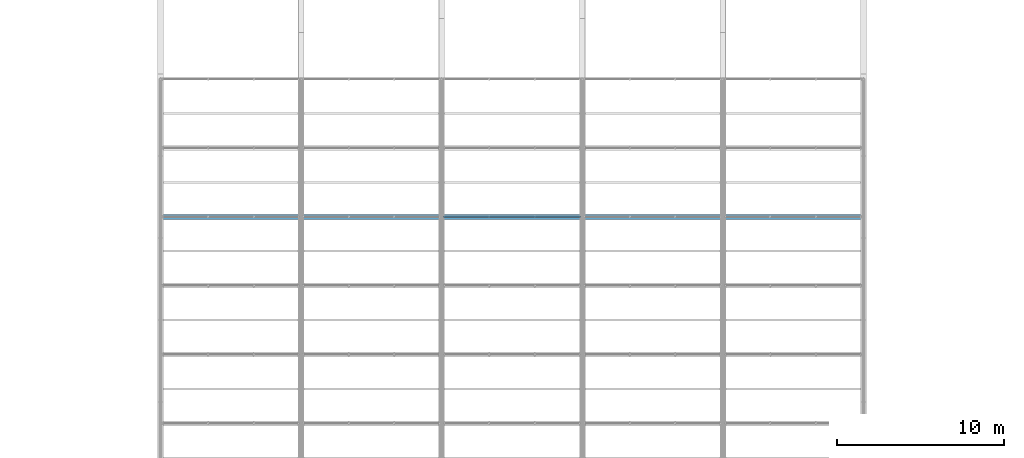
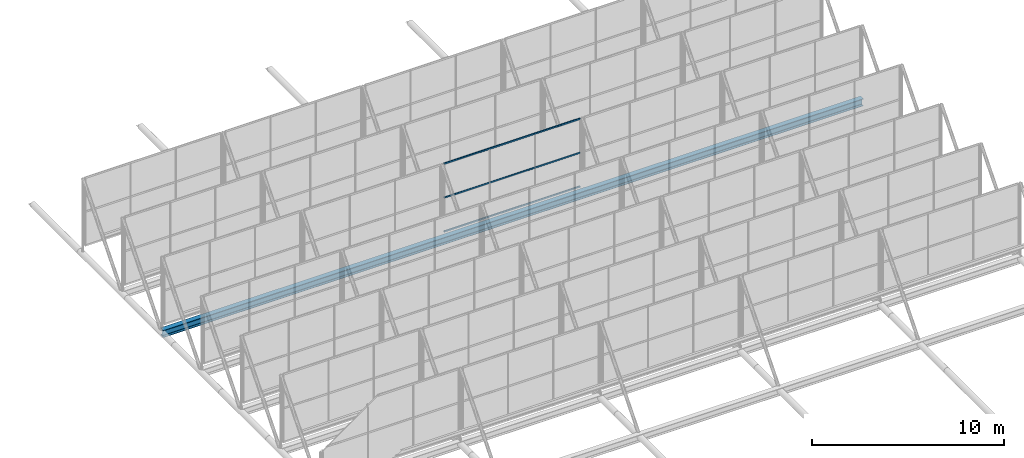
# One storey, part 30 of 77: 3 members, 1 beam, 1 element without a shape of its own.
"""IFC4 building model written with IfcOpenShell, lengths in metres."""

from ifc_helpers import new_model, si_unit, derived_unit, direction, frame, origin, origin_2d, place, context, subcontext, project, spatial, hollow_rectangle, i_section, extrude, material, material_profile, profile_set, type_object, element, aggregate, save


model = new_model("IFC4")

# Units and contexts
model_context = context("Model", 3, precision=1e-05, world=origin(), true_north=direction((0.0, 1.0)))
body_context = subcontext(model_context, "Body", "Model", "MODEL_VIEW")
ifc_project = project(units=[si_unit("LENGTHUNIT", "METRE"), si_unit("AREAUNIT", "SQUARE_METRE"), si_unit("VOLUMEUNIT", "CUBIC_METRE"), si_unit("PLANEANGLEUNIT", "RADIAN"), si_unit("MASSUNIT", "GRAM", prefix="KILO"), derived_unit("THERMALTRANSMITTANCEUNIT", [(si_unit("MASSUNIT", "GRAM", prefix="KILO"), 1), (si_unit("TIMEUNIT", "SECOND"), -3), (si_unit("THERMODYNAMICTEMPERATUREUNIT", "KELVIN"), -1)])], contexts=[model_context])

# Site, building, storey
site_placement = place(None, origin())
site = spatial("IfcSite", under=ifc_project, at=site_placement, CompositionType="ELEMENT")
building_placement = place(site_placement, origin())
building = spatial("IfcBuilding", under=site, at=building_placement, Name="Kharveza Railside Sports Centre", CompositionType="ELEMENT")
storey_placement = place(building_placement, frame((0.0, 0.0, 17.10009765625)))
storey = spatial("IfcBuildingStorey", under=building, at=storey_placement, Name="L04", CompositionType="ELEMENT", Elevation=17.10009765625)

# Beam
ifc_material_1 = material(Name="Steel S355J2", Category="steel")
ifc_material_profile_1 = material_profile(ifc_material_1, i_section(OverallWidth=0.300048828125, OverallDepth=0.449951171875, WebThickness=0.013916015625, FlangeThickness=0.02587890625, FilletRadius=0.027099609375, at=origin_2d()), Name="HEB 450")
ifc_profile_set_1 = profile_set([ifc_material_profile_1], Name="Steel S355J2")
beam_type = type_object("IfcBeamType", Name="BM-G06", PredefinedType="T_BEAM", material=ifc_profile_set_1)
beam_placement = place(storey_placement, frame((33.60009765625, 56.5712890625, -1.050048828125), z_axis=(1.0, 0.0, 0.0), x_axis=(0.0, 1.0, 0.0)))
element("IfcBeam", 1, at=beam_placement, inside=storey, type_object=beam_type, Name="BM-V1SAW-VAL-6", PredefinedType="T_BEAM", context=body_context, shape_type="SweptSolid", body=[
    extrude(i_section(OverallWidth=0.300048828125, OverallDepth=0.449951171875, WebThickness=0.013916015625, FlangeThickness=0.02587890625, FilletRadius=0.027099609375, at=origin_2d()), origin(), (0.0, 0.0, 1.0), 42.0),
])

# Curtain wall, members
ifc_material_2 = material(Name="Low-E solar-control laminated glass", Category="glass")
curtain_wall_type = type_object("IfcCurtainWallType", Name="CW-NL01", PredefinedType="NOTDEFINED", material=ifc_material_2)
curtain_wall_placement = place(storey_placement, origin())
curtain_wall = element("IfcCurtainWall", 2, at=curtain_wall_placement, inside=storey, type_object=curtain_wall_type, Name="CW-V1NL-5-3", PredefinedType="NOTDEFINED")
ifc_material_3 = material(Name="Anodised aluminium 6063-T6", Category="aluminium")
ifc_material_profile_2 = material_profile(ifc_material_3, hollow_rectangle(XDim=0.06005859375, YDim=0.10009765625, WallThickness=0.00390625, InnerFilletRadius=0.00390625, OuterFilletRadius=0.008056640625, at=origin_2d()), Name="RHS 60x100x4.0")
ifc_profile_set_2 = profile_set([ifc_material_profile_2], Name="Anodised aluminium 6063-T6")
member_type = type_object("IfcMemberType", Name="CW-TR05", PredefinedType="USERDEFINED", material=ifc_profile_set_2)
member_1_placement = place(storey_placement, frame((50.52001953125, 56.5712890625, -0.550048828125), z_axis=(1.0, 0.0, 0.0), x_axis=(0.0, 1.0, 0.0)))
member_1 = element("IfcMember", 3, at=member_1_placement, type_object=member_type, Name="CW-V1NL-5-3-TR1", ObjectType="TRANSOM", PredefinedType="USERDEFINED", context=body_context, shape_type="SweptSolid", body=[
    extrude(hollow_rectangle(XDim=0.06005859375, YDim=0.10009765625, WallThickness=0.00390625, InnerFilletRadius=0.00390625, OuterFilletRadius=0.008056640625, at=origin_2d()), origin(), (0.0, 0.0, 1.0), 8.159912109375),
])
member_2_placement = place(storey_placement, frame((50.52001953125, 56.5712890625, 1.599853515625), z_axis=(1.0, 0.0, 0.0), x_axis=(0.0, 1.0, 0.0)))
member_2 = element("IfcMember", 4, at=member_2_placement, type_object=member_type, Name="CW-V1NL-5-3-TR2", ObjectType="TRANSOM", PredefinedType="USERDEFINED", context=body_context, shape_type="SweptSolid", body=[
    extrude(hollow_rectangle(XDim=0.06005859375, YDim=0.10009765625, WallThickness=0.00390625, InnerFilletRadius=0.00390625, OuterFilletRadius=0.008056640625, at=origin_2d()), origin(), (0.0, 0.0, 1.0), 8.159912109375),
])
member_3_placement = place(storey_placement, frame((50.52001953125, 56.5712890625, 3.75), z_axis=(1.0, 0.0, 0.0), x_axis=(0.0, 1.0, 0.0)))
member_3 = element("IfcMember", 5, at=member_3_placement, type_object=member_type, Name="CW-V1NL-5-3-TR3", ObjectType="TRANSOM", PredefinedType="USERDEFINED", context=body_context, shape_type="SweptSolid", body=[
    extrude(hollow_rectangle(XDim=0.06005859375, YDim=0.10009765625, WallThickness=0.00390625, InnerFilletRadius=0.00390625, OuterFilletRadius=0.008056640625, at=origin_2d()), origin(), (0.0, 0.0, 1.0), 8.159912109375),
])
aggregate(curtain_wall, [member_1, member_2, member_3])

save(model, "model.ifc")
